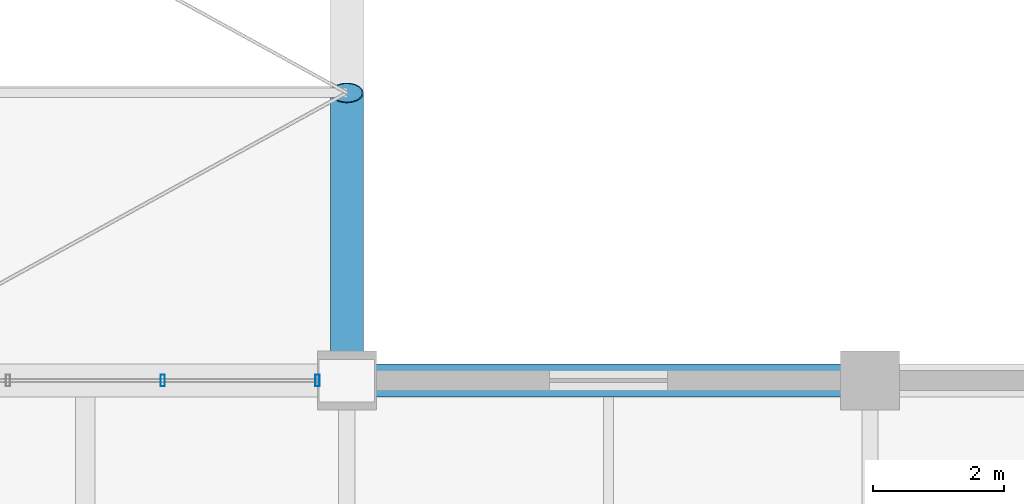
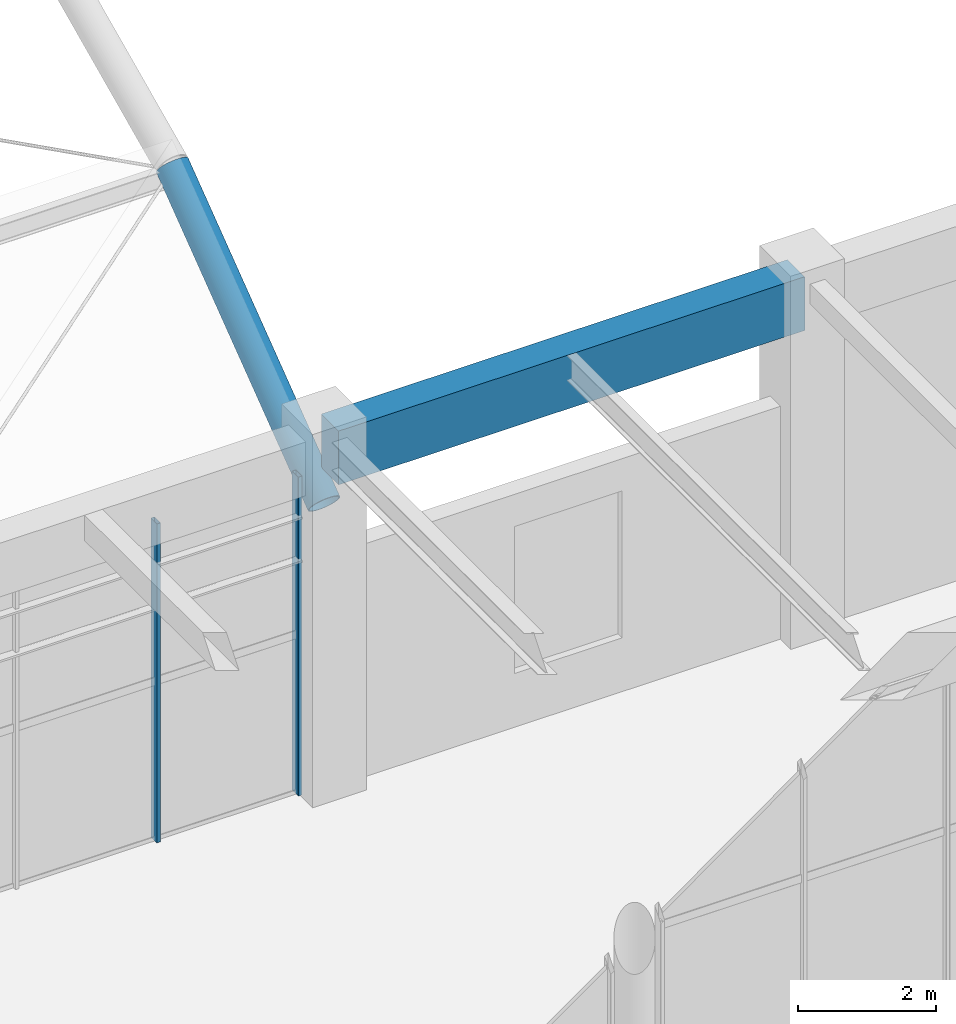
# One storey, part 99 of 163: 2 beams, 2 members, 1 element without a shape of its own.
"""IFC4 building model written with IfcOpenShell, lengths in metres."""

from ifc_helpers import new_model, si_unit, direction, frame, origin, origin_2d, place, context, subcontext, project, spatial, rectangle, hollow_rectangle, hollow_circle, extrude, material, material_profile, profile_set, type_object, element, aggregate, save


model = new_model("IFC4")

# Units and contexts
model_context = context("Model", 3, precision=1e-05, world=origin(), true_north=direction((0.0, 1.0)))
body_context = subcontext(model_context, "Body", "Model", "MODEL_VIEW")
ifc_project = project(units=[si_unit("LENGTHUNIT", "METRE"), si_unit("AREAUNIT", "SQUARE_METRE"), si_unit("VOLUMEUNIT", "CUBIC_METRE"), si_unit("PLANEANGLEUNIT", "RADIAN"), si_unit("MASSUNIT", "GRAM", prefix="KILO")], contexts=[model_context])

# Site, building, storey
site_placement = place(None, origin())
site = spatial("IfcSite", under=ifc_project, at=site_placement, CompositionType="ELEMENT")
building_placement = place(site_placement, origin())
building = spatial("IfcBuilding", under=site, at=building_placement, Name="Varnabhumi Central Station", CompositionType="ELEMENT")
storey_placement = place(building_placement, frame((0.0, 0.0, 9.60009765625)))
storey = spatial("IfcBuildingStorey", under=building, at=storey_placement, Name="L02", CompositionType="ELEMENT", Elevation=9.60009765625)

# Beams
ifc_material_1 = material(Name="Structural steel E350", Category="steel")
ifc_material_profile_1 = material_profile(ifc_material_1, hollow_circle(Radius=0.25390625, WallThickness=0.02001953125, at=origin_2d()), Name="Structural steel E350", Category="steel")
ifc_profile_set_1 = profile_set([ifc_material_profile_1], Name="Structural steel E350")
beam_type_1 = type_object("IfcBeamType", Name="BM-ARCH-CHS508", PredefinedType="BEAM", material=ifc_profile_set_1)
beam_1_placement = place(storey_placement, frame((136.0, 36.0, 4.949951171875), z_axis=(0.0, 0.798178703242, 0.602420748058), x_axis=(-1.0, 0.0, 0.0)))
element("IfcBeam", 1, at=beam_1_placement, inside=storey, type_object=beam_type_1, Name="Departure Concourse Vault Arch Rib 9 Seg 1", PredefinedType="BEAM", context=body_context, shape_type="SweptSolid", body=[
    extrude(hollow_circle(Radius=0.25390625, WallThickness=0.02001953125, at=origin_2d()), origin(), (0.0, 0.0, 1.0), 5.512451171875),
])
ifc_material_2 = material(Name="Concrete M40", Category="concrete")
ifc_material_profile_2 = material_profile(ifc_material_2, rectangle(XDim=0.5, YDim=0.949951171875, at=origin_2d()), Name="Concrete M40", Category="concrete")
ifc_profile_set_2 = profile_set([ifc_material_profile_2], Name="Concrete M40")
beam_type_2 = type_object("IfcBeamType", Name="BM-RC-950x500", PredefinedType="BEAM", material=ifc_profile_set_2)
beam_2_placement = place(storey_placement, frame((136.10009765625, 36.0, 5.875), z_axis=(1.0, 0.0, 0.0), x_axis=(0.0, 1.0, 0.0)))
element("IfcBeam", 2, at=beam_2_placement, inside=storey, type_object=beam_type_2, Name="Beam L02-E:18-19", PredefinedType="BEAM", context=body_context, shape_type="SweptSolid", body=[
    extrude(rectangle(XDim=0.5, YDim=0.949951171875, at=origin_2d()), origin(), (0.0, 0.0, 1.0), 7.7998046875),
])

# Curtain wall, members
ifc_material_3 = material(Name="Anodised aluminium 6063-T6", Category="aluminium")
curtain_wall_type = type_object("IfcCurtainWallType", Name="CW-SPINE-SCREEN-L2", PredefinedType="NOTDEFINED", material=ifc_material_3)
curtain_wall_placement = place(storey_placement, origin())
curtain_wall = element("IfcCurtainWall", 3, at=curtain_wall_placement, inside=storey, type_object=curtain_wall_type, Name="Curtain Wall CW-SS212", PredefinedType="NOTDEFINED")
ifc_material_profile_3 = material_profile(ifc_material_3, hollow_rectangle(XDim=0.06494140625, YDim=0.179931640625, WallThickness=0.00390625, InnerFilletRadius=0.001953125, OuterFilletRadius=0.006103515625, at=origin_2d()), Name="Anodised aluminium 6063-T6", Category="aluminium")
ifc_profile_set_3 = profile_set([ifc_material_profile_3], Name="Anodised aluminium 6063-T6")
member_type = type_object("IfcMemberType", Name="CW-MUL-180", PredefinedType="MULLION", material=ifc_profile_set_3)
member_1_placement = place(storey_placement, frame((133.183349609375, 36.0, 0.0), z_axis=(0.0, 0.0, 1.0), x_axis=(1.0, 0.0, 0.0)))
member_1 = element("IfcMember", 4, at=member_1_placement, type_object=member_type, Name="Curtain Wall Mullion CW-SS212-M3", PredefinedType="MULLION", context=body_context, shape_type="SweptSolid", body=[
    extrude(hollow_rectangle(XDim=0.06494140625, YDim=0.179931640625, WallThickness=0.00390625, InnerFilletRadius=0.001953125, OuterFilletRadius=0.006103515625, at=origin_2d()), origin(), (0.0, 0.0, 1.0), 5.639892578125),
])
member_2_placement = place(storey_placement, frame((135.550048828125, 36.0, 0.0), z_axis=(0.0, 0.0, 1.0), x_axis=(1.0, 0.0, 0.0)))
member_2 = element("IfcMember", 5, at=member_2_placement, type_object=member_type, Name="Curtain Wall Mullion CW-SS212-M4", PredefinedType="MULLION", context=body_context, shape_type="SweptSolid", body=[
    extrude(hollow_rectangle(XDim=0.06494140625, YDim=0.179931640625, WallThickness=0.00390625, InnerFilletRadius=0.001953125, OuterFilletRadius=0.006103515625, at=origin_2d()), origin(), (0.0, 0.0, 1.0), 5.639892578125),
])
aggregate(curtain_wall, [member_1, member_2])

save(model, "model.ifc")
